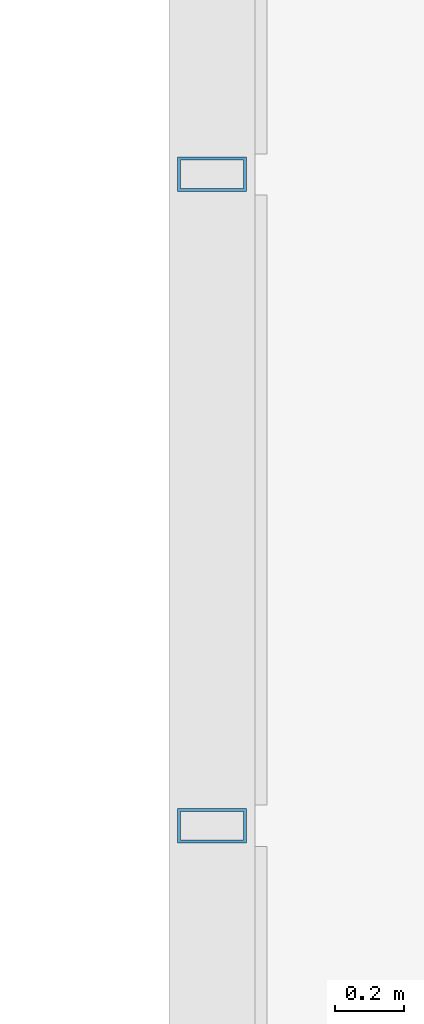
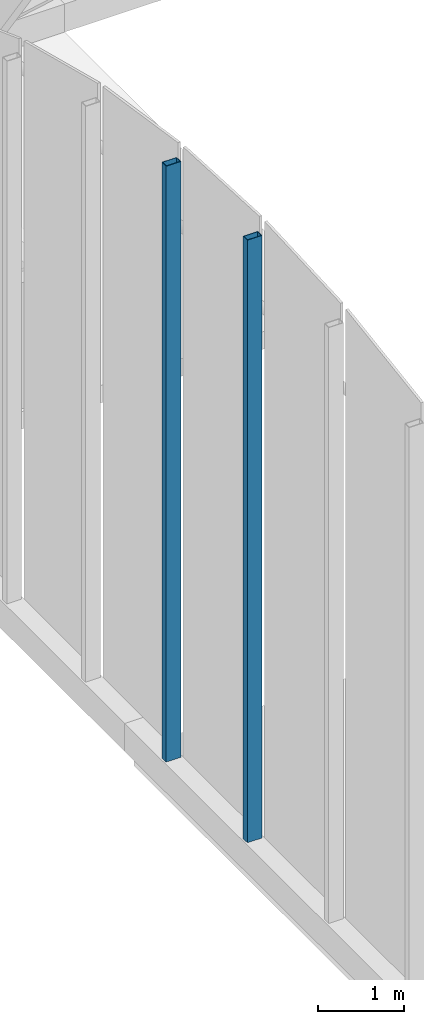
# One storey, part 17 of 109: 2 members.
"""IFC4 building model written with IfcOpenShell, lengths in metres."""

import ifcopenshell
import ifcopenshell.guid

model = None  # the IFC model being written
_history = None  # IfcOwnerHistory: only IFC2X3 demands one
_inside = {}  # id of a spatial element -> (the spatial element, [elements in it])
_under = {}  # id of a project, library or spatial element -> (it, [spatial elements below it])
_declared = {}  # id of a project -> (the project, [libraries it declares])
_typed = {}  # id of a type object -> (the type object, [elements of that type])
_made_of = {}  # id of a material, layer set ... -> (it, [elements and type objects made of it])


def new_model(schema):
    """Start an empty IFC model of exactly this schema.

    Asked for "IFC4X3", IfcOpenShell would pick the latest addendum, in which some entities
    have other attributes; the version numbers below select the first issue.
    IFC2X3 requires an IfcOwnerHistory on every rooted entity: one is made here for all.
    """
    global model, _history
    if schema == "IFC4X3":
        model = ifcopenshell.file(schema_version=(4, 3, 0, 0))
    else:
        model = ifcopenshell.file(schema=schema)
    _inside.clear()
    _under.clear()
    _declared.clear()
    _typed.clear()
    _made_of.clear()
    _history = None
    if model.schema == "IFC2X3":
        org = make("IfcOrganization", Name="unknown")
        user = make(
            "IfcPersonAndOrganization",
            ThePerson=make("IfcPerson", FamilyName="unknown"),
            TheOrganization=org,
        )
        app = make(
            "IfcApplication",
            ApplicationDeveloper=org,
            Version="unknown",
            ApplicationFullName="unknown",
            ApplicationIdentifier="unknown",
        )
        _history = make(
            "IfcOwnerHistory",
            OwningUser=user,
            OwningApplication=app,
            ChangeAction="ADDED",
            CreationDate=0,
        )
    return model


def make(cls, **values):
    """One entity of the class cls with the attributes given. An attribute that is None is left unset."""
    return model.create_entity(
        cls, **{name: value for name, value in values.items() if value is not None}
    )


def rooted(cls, **values):
    """An entity with a GlobalId (a new one), such as an element, a storey or a relation."""
    return make(cls, GlobalId=ifcopenshell.guid.new(), OwnerHistory=_history, **values)


def si_unit(unit_type, name, prefix=None):
    """IfcSIUnit, for example si_unit("LENGTHUNIT", "METRE", prefix="MILLI")."""
    return make("IfcSIUnit", UnitType=unit_type, Prefix=prefix, Name=name)


def assignment(units):
    """IfcUnitAssignment: the units of a project."""
    return None if units is None else make("IfcUnitAssignment", Units=units)


def point(xyz):
    """IfcCartesianPoint."""
    return None if xyz is None else make("IfcCartesianPoint", Coordinates=xyz)


def direction(xyz):
    """IfcDirection."""
    return None if xyz is None else make("IfcDirection", DirectionRatios=xyz)


def frame(location, z_axis=None, x_axis=None):
    """IfcAxis2Placement3D, a coordinate frame: its origin and axes. An axis left out is left unset."""
    return make(
        "IfcAxis2Placement3D",
        Location=point(location),
        Axis=direction(z_axis),
        RefDirection=direction(x_axis),
    )


def frame_2d(location, x_axis=None):
    """IfcAxis2Placement2D, a coordinate frame in the plane: its origin and x axis."""
    return make(
        "IfcAxis2Placement2D", Location=point(location), RefDirection=direction(x_axis)
    )


def origin():
    """The frame at (0, 0, 0) with its axes left unset."""
    return frame((0.0, 0.0, 0.0))


def origin_2d():
    """The frame at (0, 0) in the plane with its x axis left unset."""
    return frame_2d((0.0, 0.0))


def place(relative_to, where):
    """IfcLocalPlacement: puts the frame where relative to a parent placement (None: the world)."""
    return make(
        "IfcLocalPlacement", PlacementRelTo=relative_to, RelativePlacement=where
    )


def context(
    kind, dimensions, precision=None, world=None, true_north=None, identifier=None
):
    """IfcGeometricRepresentationContext, for example the 3D "Model" context."""
    return make(
        "IfcGeometricRepresentationContext",
        ContextIdentifier=identifier,
        ContextType=kind,
        CoordinateSpaceDimension=dimensions,
        Precision=precision,
        WorldCoordinateSystem=world,
        TrueNorth=true_north,
    )


def subcontext(parent, identifier, kind, view, scale=None):
    """IfcGeometricRepresentationSubContext, for example "Body" below "Model"."""
    return make(
        "IfcGeometricRepresentationSubContext",
        ContextIdentifier=identifier,
        ContextType=kind,
        ParentContext=parent,
        TargetScale=scale,
        TargetView=view,
    )


def project(units=None, contexts=None):
    """IfcProject with its units and contexts."""
    return rooted(
        "IfcProject",
        Name="project",
        RepresentationContexts=contexts,
        UnitsInContext=assignment(units),
    )


def spatial(cls, under=None, at=None, **own):
    """A site, building, storey or space (cls), placed at a placement, below another one or the project."""
    s = rooted(cls, ObjectPlacement=at, **own)
    if under is not None:
        _under.setdefault(under.id(), (under, []))[1].append(s)
    return s


def profile(cls, at=None, kind="AREA", **sizes):
    """A parametric profile (cls). Its sizes go by their IFC names, for example OverallWidth=200.0."""
    return make(cls, ProfileType=kind, Position=at, **sizes)


def hollow_rectangle(**sizes):
    """IfcRectangleHollowProfileDef."""
    return profile("IfcRectangleHollowProfileDef", **sizes)


def extrude(swept, where, along, depth):
    """IfcExtrudedAreaSolid: the profile swept, set in the frame where, extruded along a direction by depth."""
    return make(
        "IfcExtrudedAreaSolid",
        SweptArea=swept,
        Position=where,
        ExtrudedDirection=direction(along),
        Depth=depth,
    )


def shape(context_of_items, identifier, shape_type, items):
    """IfcShapeRepresentation: the items that make up one representation, for example the "Body"."""
    return make(
        "IfcShapeRepresentation",
        ContextOfItems=context_of_items,
        RepresentationIdentifier=identifier,
        RepresentationType=shape_type,
        Items=items,
    )


def material(Name=None, Category=None):
    """IfcMaterial."""
    return make("IfcMaterial", Name=Name, Category=Category)


def material_profile(
    of_material, cross_section, Name=None, Category=None, Priority=None
):
    """IfcMaterialProfile: a cross section and its material."""
    return make(
        "IfcMaterialProfile",
        Name=Name,
        Material=of_material,
        Profile=cross_section,
        Priority=Priority,
        Category=Category,
    )


def profile_set(profiles, Name=None, composite=None):
    """IfcMaterialProfileSet."""
    return make(
        "IfcMaterialProfileSet",
        Name=Name,
        MaterialProfiles=profiles,
        CompositeProfile=composite,
    )


def made_of(thing, what):
    """Note that an element or type object is made of a material, layer set ...; save() writes the relation."""
    if what is not None:
        _made_of.setdefault(what.id(), (what, []))[1].append(thing)
    return thing


def type_object(cls, material=None, **own):
    """A type object (cls), such as IfcWallType, which elements share."""
    return made_of(rooted(cls, **own), material)


def element(
    cls,
    number,
    at=None,
    inside=None,
    cuts=None,
    type_object=None,
    material=None,
    context=None,
    identifier="Body",
    shape_type=None,
    held_by="IfcProductDefinitionShape",
    body=None,
    shapes=None,
    **own,
):
    """One element of the class cls, such as IfcWall. Its Tag is "e" and its number.

    at: its placement. inside: the storey or other place that contains it. cuts: it is an
    opening in that element (IfcRelVoidsElement). A single representation is given by context,
    identifier, shape_type and body (its items); several are given by shapes. held_by: the class
    of the entity that holds the representations. save() writes the other relations.
    """
    e = rooted(cls, Tag="e%d" % number, ObjectPlacement=at, **own)
    if body is not None:
        shapes = [shape(context, identifier, shape_type, body)]
    if shapes is not None:
        e.Representation = make(held_by, Representations=shapes)
    if inside is not None:
        _inside.setdefault(inside.id(), (inside, []))[1].append(e)
    if cuts is not None:
        rooted(
            "IfcRelVoidsElement", RelatingBuildingElement=cuts, RelatedOpeningElement=e
        )
    if type_object is not None:
        _typed.setdefault(type_object.id(), (type_object, []))[1].append(e)
    return made_of(e, material)


def aggregate(whole, parts):
    """IfcRelAggregates: a whole, such as a stair, and the parts it consists of."""
    return rooted("IfcRelAggregates", RelatingObject=whole, RelatedObjects=parts)


def save(model, path):
    """Write the relations noted so far, then the file.

    IfcRelAggregates (storeys below a building ...), IfcRelContainedInSpatialStructure (elements
    in a storey), IfcRelDefinesByType, IfcRelAssociatesMaterial and IfcRelDeclares: one each for
    every whole, place, type object, material and project.
    """
    for whole, parts in _under.values():
        aggregate(whole, parts)
    for where, things in _inside.values():
        rooted(
            "IfcRelContainedInSpatialStructure",
            RelatedElements=things,
            RelatingStructure=where,
        )
    for kind, things in _typed.values():
        rooted("IfcRelDefinesByType", RelatedObjects=things, RelatingType=kind)
    for what, things in _made_of.values():
        rooted("IfcRelAssociatesMaterial", RelatedObjects=things, RelatingMaterial=what)
    for by, libraries in _declared.values():
        rooted("IfcRelDeclares", RelatingContext=by, RelatedDefinitions=libraries)
    model.write(path)


model = new_model("IFC4")

# Units and contexts
model_context = context("Model", 3, precision=1e-05, world=origin(), true_north=direction((0.0, 1.0)))
body_context = subcontext(model_context, "Body", "Model", "MODEL_VIEW")
ifc_project = project(units=[si_unit("LENGTHUNIT", "METRE"), si_unit("AREAUNIT", "SQUARE_METRE"), si_unit("VOLUMEUNIT", "CUBIC_METRE"), si_unit("PLANEANGLEUNIT", "RADIAN"), si_unit("MASSUNIT", "GRAM", prefix="KILO")], contexts=[model_context])

# Site, building, storey
site_placement = place(None, origin())
site = spatial("IfcSite", under=ifc_project, at=site_placement, CompositionType="ELEMENT")
building_placement = place(site_placement, origin())
building = spatial("IfcBuilding", under=site, at=building_placement, Name="Lantern Court Research Institute", CompositionType="ELEMENT")
storey_placement = place(building_placement, frame((0.0, 0.0, 14.39990234375)))
storey = spatial("IfcBuildingStorey", under=building, at=storey_placement, Name="L03", CompositionType="ELEMENT", Elevation=14.39990234375)

# Members
ifc_material = material(Name="Structural steel S355", Category="steel")
ifc_material_profile = material_profile(ifc_material, hollow_rectangle(XDim=0.199951171875, YDim=0.10009765625, WallThickness=0.008056640625, at=origin_2d()), Name="Gable post RHS 200 x 100 x 8")
ifc_profile_set = profile_set([ifc_material_profile], Name="Structural steel S355")
member_type = type_object("IfcMemberType", Name="Gable post RHS 200 x 100 x 8", PredefinedType="POST", material=ifc_profile_set)
member_1_placement = place(storey_placement, frame((39.60009765625, 40.125, 0.400146484375), z_axis=(0.0, 0.0, 1.0), x_axis=(1.0, 0.0, 0.0)))
element("IfcMember", 1, at=member_1_placement, inside=storey, type_object=member_type, Name="Gable post", PredefinedType="POST", context=body_context, shape_type="SweptSolid", body=[
    extrude(hollow_rectangle(XDim=0.199951171875, YDim=0.10009765625, WallThickness=0.008056640625, at=origin_2d()), origin(), (0.0, 0.0, 1.0), 8.599853515625),
])
member_2_placement = place(storey_placement, frame((39.60009765625, 42.025146484375, 0.400146484375), z_axis=(0.0, 0.0, 1.0), x_axis=(1.0, 0.0, 0.0)))
element("IfcMember", 2, at=member_2_placement, inside=storey, type_object=member_type, Name="Gable post", PredefinedType="POST", context=body_context, shape_type="SweptSolid", body=[
    extrude(hollow_rectangle(XDim=0.199951171875, YDim=0.10009765625, WallThickness=0.008056640625, at=origin_2d()), origin(), (0.0, 0.0, 1.0), 8.504150390625),
])

save(model, "model.ifc")
